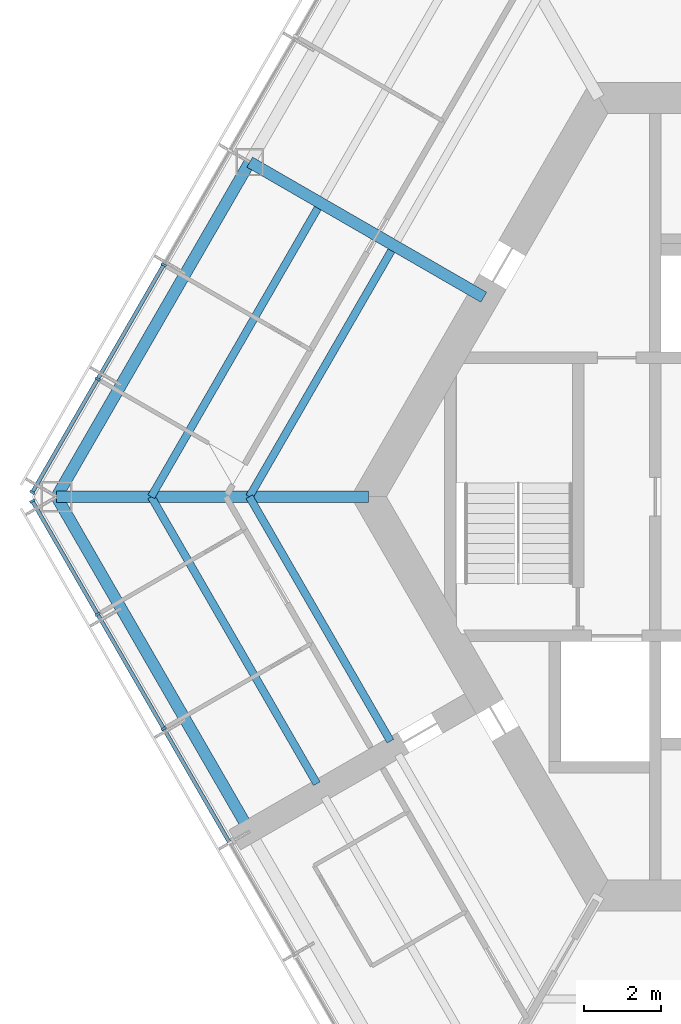
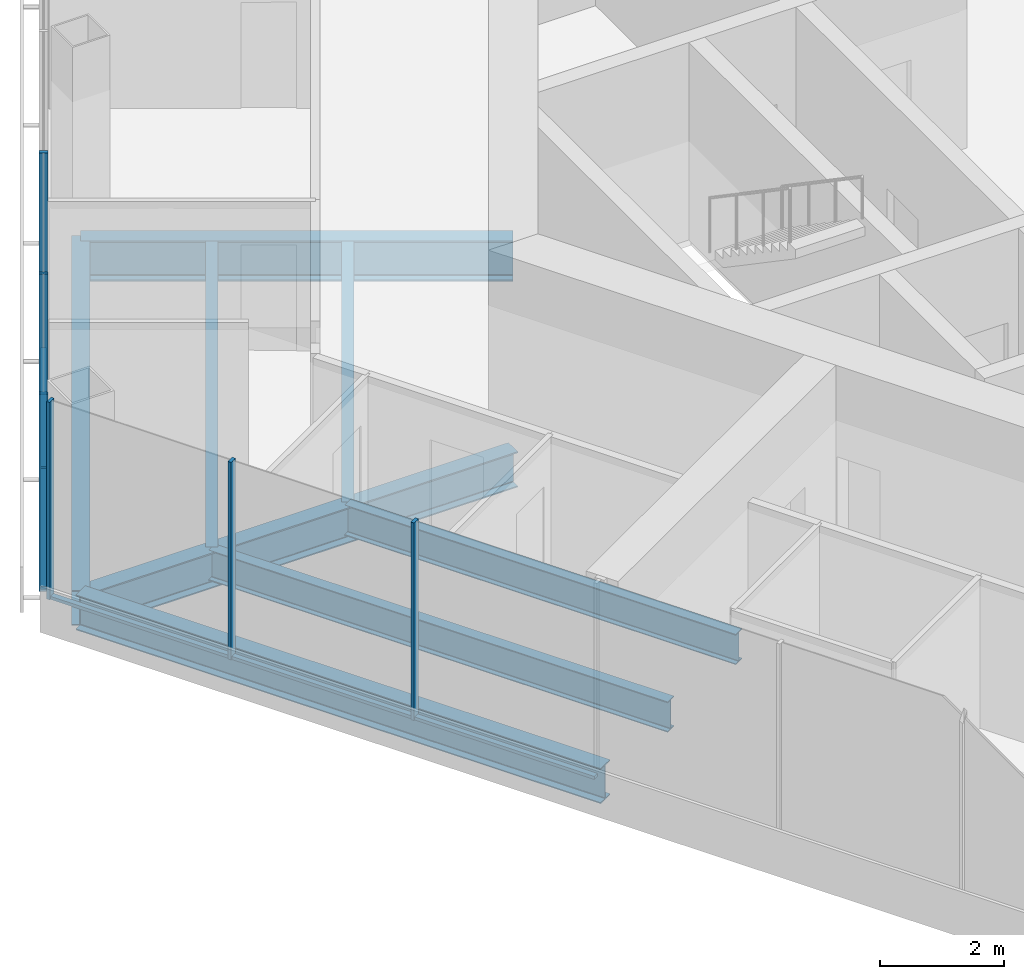
# One storey, part 3 of 17: 11 members, 8 beams, 2 elements without a shape of their own.
"""IFC4 building model written with IfcOpenShell, lengths in metres."""

import ifcopenshell
import ifcopenshell.guid

model = None  # the IFC model being written
_history = None  # IfcOwnerHistory: only IFC2X3 demands one
_inside = {}  # id of a spatial element -> (the spatial element, [elements in it])
_under = {}  # id of a project, library or spatial element -> (it, [spatial elements below it])
_declared = {}  # id of a project -> (the project, [libraries it declares])
_typed = {}  # id of a type object -> (the type object, [elements of that type])
_made_of = {}  # id of a material, layer set ... -> (it, [elements and type objects made of it])


def new_model(schema):
    """Start an empty IFC model of exactly this schema.

    Asked for "IFC4X3", IfcOpenShell would pick the latest addendum, in which some entities
    have other attributes; the version numbers below select the first issue.
    IFC2X3 requires an IfcOwnerHistory on every rooted entity: one is made here for all.
    """
    global model, _history
    if schema == "IFC4X3":
        model = ifcopenshell.file(schema_version=(4, 3, 0, 0))
    else:
        model = ifcopenshell.file(schema=schema)
    _inside.clear()
    _under.clear()
    _declared.clear()
    _typed.clear()
    _made_of.clear()
    _history = None
    if model.schema == "IFC2X3":
        org = make("IfcOrganization", Name="unknown")
        user = make(
            "IfcPersonAndOrganization",
            ThePerson=make("IfcPerson", FamilyName="unknown"),
            TheOrganization=org,
        )
        app = make(
            "IfcApplication",
            ApplicationDeveloper=org,
            Version="unknown",
            ApplicationFullName="unknown",
            ApplicationIdentifier="unknown",
        )
        _history = make(
            "IfcOwnerHistory",
            OwningUser=user,
            OwningApplication=app,
            ChangeAction="ADDED",
            CreationDate=0,
        )
    return model


def make(cls, **values):
    """One entity of the class cls with the attributes given. An attribute that is None is left unset."""
    return model.create_entity(
        cls, **{name: value for name, value in values.items() if value is not None}
    )


def rooted(cls, **values):
    """An entity with a GlobalId (a new one), such as an element, a storey or a relation."""
    return make(cls, GlobalId=ifcopenshell.guid.new(), OwnerHistory=_history, **values)


def si_unit(unit_type, name, prefix=None):
    """IfcSIUnit, for example si_unit("LENGTHUNIT", "METRE", prefix="MILLI")."""
    return make("IfcSIUnit", UnitType=unit_type, Prefix=prefix, Name=name)


def assignment(units):
    """IfcUnitAssignment: the units of a project."""
    return None if units is None else make("IfcUnitAssignment", Units=units)


def point(xyz):
    """IfcCartesianPoint."""
    return None if xyz is None else make("IfcCartesianPoint", Coordinates=xyz)


def direction(xyz):
    """IfcDirection."""
    return None if xyz is None else make("IfcDirection", DirectionRatios=xyz)


def frame(location, z_axis=None, x_axis=None):
    """IfcAxis2Placement3D, a coordinate frame: its origin and axes. An axis left out is left unset."""
    return make(
        "IfcAxis2Placement3D",
        Location=point(location),
        Axis=direction(z_axis),
        RefDirection=direction(x_axis),
    )


def frame_2d(location, x_axis=None):
    """IfcAxis2Placement2D, a coordinate frame in the plane: its origin and x axis."""
    return make(
        "IfcAxis2Placement2D", Location=point(location), RefDirection=direction(x_axis)
    )


def origin():
    """The frame at (0, 0, 0) with its axes left unset."""
    return frame((0.0, 0.0, 0.0))


def origin_2d():
    """The frame at (0, 0) in the plane with its x axis left unset."""
    return frame_2d((0.0, 0.0))


def place(relative_to, where):
    """IfcLocalPlacement: puts the frame where relative to a parent placement (None: the world)."""
    return make(
        "IfcLocalPlacement", PlacementRelTo=relative_to, RelativePlacement=where
    )


def context(
    kind, dimensions, precision=None, world=None, true_north=None, identifier=None
):
    """IfcGeometricRepresentationContext, for example the 3D "Model" context."""
    return make(
        "IfcGeometricRepresentationContext",
        ContextIdentifier=identifier,
        ContextType=kind,
        CoordinateSpaceDimension=dimensions,
        Precision=precision,
        WorldCoordinateSystem=world,
        TrueNorth=true_north,
    )


def subcontext(parent, identifier, kind, view, scale=None):
    """IfcGeometricRepresentationSubContext, for example "Body" below "Model"."""
    return make(
        "IfcGeometricRepresentationSubContext",
        ContextIdentifier=identifier,
        ContextType=kind,
        ParentContext=parent,
        TargetScale=scale,
        TargetView=view,
    )


def project(units=None, contexts=None):
    """IfcProject with its units and contexts."""
    return rooted(
        "IfcProject",
        Name="project",
        RepresentationContexts=contexts,
        UnitsInContext=assignment(units),
    )


def spatial(cls, under=None, at=None, **own):
    """A site, building, storey or space (cls), placed at a placement, below another one or the project."""
    s = rooted(cls, ObjectPlacement=at, **own)
    if under is not None:
        _under.setdefault(under.id(), (under, []))[1].append(s)
    return s


def profile(cls, at=None, kind="AREA", **sizes):
    """A parametric profile (cls). Its sizes go by their IFC names, for example OverallWidth=200.0."""
    return make(cls, ProfileType=kind, Position=at, **sizes)


def rectangle(**sizes):
    """IfcRectangleProfileDef."""
    return profile("IfcRectangleProfileDef", **sizes)


def i_section(**sizes):
    """IfcIShapeProfileDef."""
    return profile("IfcIShapeProfileDef", **sizes)


def extrude(swept, where, along, depth):
    """IfcExtrudedAreaSolid: the profile swept, set in the frame where, extruded along a direction by depth."""
    return make(
        "IfcExtrudedAreaSolid",
        SweptArea=swept,
        Position=where,
        ExtrudedDirection=direction(along),
        Depth=depth,
    )


def shape(context_of_items, identifier, shape_type, items):
    """IfcShapeRepresentation: the items that make up one representation, for example the "Body"."""
    return make(
        "IfcShapeRepresentation",
        ContextOfItems=context_of_items,
        RepresentationIdentifier=identifier,
        RepresentationType=shape_type,
        Items=items,
    )


def material(Name=None, Category=None):
    """IfcMaterial."""
    return make("IfcMaterial", Name=Name, Category=Category)


def material_profile(
    of_material, cross_section, Name=None, Category=None, Priority=None
):
    """IfcMaterialProfile: a cross section and its material."""
    return make(
        "IfcMaterialProfile",
        Name=Name,
        Material=of_material,
        Profile=cross_section,
        Priority=Priority,
        Category=Category,
    )


def profile_set(profiles, Name=None, composite=None):
    """IfcMaterialProfileSet."""
    return make(
        "IfcMaterialProfileSet",
        Name=Name,
        MaterialProfiles=profiles,
        CompositeProfile=composite,
    )


def made_of(thing, what):
    """Note that an element or type object is made of a material, layer set ...; save() writes the relation."""
    if what is not None:
        _made_of.setdefault(what.id(), (what, []))[1].append(thing)
    return thing


def type_object(cls, material=None, **own):
    """A type object (cls), such as IfcWallType, which elements share."""
    return made_of(rooted(cls, **own), material)


def element(
    cls,
    number,
    at=None,
    inside=None,
    cuts=None,
    type_object=None,
    material=None,
    context=None,
    identifier="Body",
    shape_type=None,
    held_by="IfcProductDefinitionShape",
    body=None,
    shapes=None,
    **own,
):
    """One element of the class cls, such as IfcWall. Its Tag is "e" and its number.

    at: its placement. inside: the storey or other place that contains it. cuts: it is an
    opening in that element (IfcRelVoidsElement). A single representation is given by context,
    identifier, shape_type and body (its items); several are given by shapes. held_by: the class
    of the entity that holds the representations. save() writes the other relations.
    """
    e = rooted(cls, Tag="e%d" % number, ObjectPlacement=at, **own)
    if body is not None:
        shapes = [shape(context, identifier, shape_type, body)]
    if shapes is not None:
        e.Representation = make(held_by, Representations=shapes)
    if inside is not None:
        _inside.setdefault(inside.id(), (inside, []))[1].append(e)
    if cuts is not None:
        rooted(
            "IfcRelVoidsElement", RelatingBuildingElement=cuts, RelatedOpeningElement=e
        )
    if type_object is not None:
        _typed.setdefault(type_object.id(), (type_object, []))[1].append(e)
    return made_of(e, material)


def aggregate(whole, parts):
    """IfcRelAggregates: a whole, such as a stair, and the parts it consists of."""
    return rooted("IfcRelAggregates", RelatingObject=whole, RelatedObjects=parts)


def save(model, path):
    """Write the relations noted so far, then the file.

    IfcRelAggregates (storeys below a building ...), IfcRelContainedInSpatialStructure (elements
    in a storey), IfcRelDefinesByType, IfcRelAssociatesMaterial and IfcRelDeclares: one each for
    every whole, place, type object, material and project.
    """
    for whole, parts in _under.values():
        aggregate(whole, parts)
    for where, things in _inside.values():
        rooted(
            "IfcRelContainedInSpatialStructure",
            RelatedElements=things,
            RelatingStructure=where,
        )
    for kind, things in _typed.values():
        rooted("IfcRelDefinesByType", RelatedObjects=things, RelatingType=kind)
    for what, things in _made_of.values():
        rooted("IfcRelAssociatesMaterial", RelatedObjects=things, RelatingMaterial=what)
    for by, libraries in _declared.values():
        rooted("IfcRelDeclares", RelatingContext=by, RelatedDefinitions=libraries)
    model.write(path)


model = new_model("IFC4")

# Units and contexts
model_context = context("Model", 3, precision=1e-05, world=origin(), true_north=direction((0.0, 1.0)))
body_context = subcontext(model_context, "Body", "Model", "MODEL_VIEW")
ifc_project = project(units=[si_unit("LENGTHUNIT", "METRE"), si_unit("AREAUNIT", "SQUARE_METRE"), si_unit("VOLUMEUNIT", "CUBIC_METRE"), si_unit("PLANEANGLEUNIT", "RADIAN"), si_unit("MASSUNIT", "GRAM", prefix="KILO")], contexts=[model_context])

# Site, building, storey
site_placement = place(None, origin())
site = spatial("IfcSite", under=ifc_project, at=site_placement, CompositionType="ELEMENT")
building_placement = place(site_placement, origin())
building = spatial("IfcBuilding", under=site, at=building_placement, Name="Kasaneha Research Tower", CompositionType="ELEMENT")
storey_placement = place(building_placement, frame((0.0, 0.0, 228.39990234375)))
storey = spatial("IfcBuildingStorey", under=building, at=storey_placement, Name="L57", CompositionType="ELEMENT", Elevation=228.39990234375)

# Beams
ifc_material_1 = material(Name="Steel SN490B", Category="steel")
ifc_material_profile_1 = material_profile(ifc_material_1, i_section(OverallWidth=0.199951171875, OverallDepth=0.60009765625, WebThickness=0.010986328125, FlangeThickness=0.01708984375, FilletRadius=0.012939453125, at=origin_2d()), Name="H-600x200x11x17")
ifc_profile_set_1 = profile_set([ifc_material_profile_1], Name="Steel SN490B")
beam_type_1 = type_object("IfcBeamType", Name="B1-3 secondary beam H-600x200x11x17", PredefinedType="JOIST", material=ifc_profile_set_1)
beam_1_placement = place(storey_placement, frame((-15.010986328125, 0.0, -0.449951171875), z_axis=(0.499994443168, 0.866028611999, 0.0), x_axis=(-0.866028611999, 0.499994443168, 0.0)))
element("IfcBeam", 1, at=beam_1_placement, inside=storey, type_object=beam_type_1, Name="Secondary beam RS150R1 L57", PredefinedType="JOIST", context=body_context, shape_type="SweptSolid", body=[
    extrude(i_section(OverallWidth=0.199951171875, OverallDepth=0.60009765625, WebThickness=0.010986328125, FlangeThickness=0.01708984375, FilletRadius=0.012939453125, at=origin_2d()), origin(), (0.0, 0.0, 1.0), 7.35546875),
])
beam_2_placement = place(storey_placement, frame((-17.551513671875, 0.0, -0.449951171875), z_axis=(0.5000050195, 0.866022505755, 0.0), x_axis=(-0.866022505755, 0.5000050195, 0.0)))
element("IfcBeam", 2, at=beam_2_placement, inside=storey, type_object=beam_type_1, Name="Secondary beam RS150R2 L57", PredefinedType="JOIST", context=body_context, shape_type="SweptSolid", body=[
    extrude(i_section(OverallWidth=0.199951171875, OverallDepth=0.60009765625, WebThickness=0.010986328125, FlangeThickness=0.01708984375, FilletRadius=0.012939453125, at=origin_2d()), origin(), (0.0, 0.0, 1.0), 8.6259765625),
])
beam_3_placement = place(storey_placement, frame((-15.010986328125, 0.0, -0.449951171875), z_axis=(0.499974128195, -0.866040340363, 0.0), x_axis=(0.866040340363, 0.499974128195, 0.0)))
element("IfcBeam", 3, at=beam_3_placement, inside=storey, type_object=beam_type_1, Name="Secondary beam RS210L1 L57", PredefinedType="JOIST", context=body_context, shape_type="SweptSolid", body=[
    extrude(i_section(OverallWidth=0.199951171875, OverallDepth=0.60009765625, WebThickness=0.010986328125, FlangeThickness=0.01708984375, FilletRadius=0.012939453125, at=origin_2d()), origin(), (0.0, 0.0, 1.0), 7.3056640625),
])
beam_4_placement = place(storey_placement, frame((-17.551513671875, 0.0, -0.449951171875), z_axis=(0.500000102728, -0.866025344474, 0.0), x_axis=(0.866025344474, 0.500000102728, 0.0)))
element("IfcBeam", 4, at=beam_4_placement, inside=storey, type_object=beam_type_1, Name="Secondary beam RS210L2 L57", PredefinedType="JOIST", context=body_context, shape_type="SweptSolid", body=[
    extrude(i_section(OverallWidth=0.199951171875, OverallDepth=0.60009765625, WebThickness=0.010986328125, FlangeThickness=0.01708984375, FilletRadius=0.012939453125, at=origin_2d()), origin(), (0.0, 0.0, 1.0), 8.57568359375),
])

# Curtain wall, members
ifc_material_2 = material(Name="Glass and aluminium", Category="aluminium")
curtain_wall_type = type_object("IfcCurtainWallType", Name="High-rise office curtain wall", PredefinedType="USERDEFINED", material=ifc_material_2)
curtain_wall_1_placement = place(storey_placement, origin())
curtain_wall_1 = element("IfcCurtainWall", 5, at=curtain_wall_1_placement, inside=storey, type_object=curtain_wall_type, Name="CW-O3 L57 run 03a", ObjectType="UNITISED CURTAIN WALL", PredefinedType="USERDEFINED")
ifc_material_3 = material(Name="Aluminium 6063-T6", Category="aluminium")
ifc_material_profile_2 = material_profile(ifc_material_3, rectangle(XDim=0.06005859375, YDim=0.139892578125, at=origin_2d()), Name="CW-O3 mullion 60x140")
ifc_profile_set_2 = profile_set([ifc_material_profile_2], Name="Aluminium 6063-T6")
member_type_1 = type_object("IfcMemberType", Name="CW-O3 mullion", PredefinedType="MULLION", material=ifc_profile_set_2)
member_1_placement = place(storey_placement, frame((-17.227294921875, 6.00244140625, 0.0), z_axis=(0.0, 0.0, 1.0), x_axis=(-0.499999995722, -0.866025406254, 0.0)))
member_1 = element("IfcMember", 6, at=member_1_placement, type_object=member_type_1, Name="CW-O3 mullion 5", PredefinedType="MULLION", context=body_context, shape_type="SweptSolid", body=[
    extrude(rectangle(XDim=0.06005859375, YDim=0.139892578125, at=origin_2d()), origin(), (0.0, 0.0, 1.0), 3.900146484375),
])
member_2_placement = place(storey_placement, frame((-18.93505859375, 3.04443359375, 0.0), z_axis=(0.0, 0.0, 1.0), x_axis=(-0.499999995722, -0.866025406254, 0.0)))
member_2 = element("IfcMember", 7, at=member_2_placement, type_object=member_type_1, Name="CW-O3 mullion 6", PredefinedType="MULLION", context=body_context, shape_type="SweptSolid", body=[
    extrude(rectangle(XDim=0.06005859375, YDim=0.139892578125, at=origin_2d()), origin(), (0.0, 0.0, 1.0), 3.900146484375),
])
member_3_placement = place(storey_placement, frame((-20.6279296875, 0.112548828125, 0.0), z_axis=(0.0, 0.0, 1.0), x_axis=(-0.499999995722, -0.866025406254, 0.0)))
member_3 = element("IfcMember", 8, at=member_3_placement, type_object=member_type_1, Name="CW-O3 mullion 7", PredefinedType="MULLION", context=body_context, shape_type="SweptSolid", body=[
    extrude(rectangle(XDim=0.06005859375, YDim=0.139892578125, at=origin_2d()), origin(), (0.0, 0.0, 1.0), 3.900146484375),
])

curtain_wall_2_placement = place(storey_placement, origin())
curtain_wall_2 = element("IfcCurtainWall", 9, at=curtain_wall_2_placement, inside=storey, type_object=curtain_wall_type, Name="CW-O3 L57 run 04a", ObjectType="UNITISED CURTAIN WALL", PredefinedType="USERDEFINED")
member_4_placement = place(storey_placement, frame((-20.6279296875, -0.112548828125, 0.0), z_axis=(0.0, 0.0, 1.0), x_axis=(0.499999995722, -0.866025406254, 0.0)))
member_4 = element("IfcMember", 10, at=member_4_placement, type_object=member_type_1, Name="CW-O3 mullion 1", PredefinedType="MULLION", context=body_context, shape_type="SweptSolid", body=[
    extrude(rectangle(XDim=0.06005859375, YDim=0.139892578125, at=origin_2d()), origin(), (0.0, 0.0, 1.0), 3.900146484375),
])
member_5_placement = place(storey_placement, frame((-18.93505859375, -3.04443359375, 0.0), z_axis=(0.0, 0.0, 1.0), x_axis=(0.499999995722, -0.866025406254, 0.0)))
member_5 = element("IfcMember", 11, at=member_5_placement, type_object=member_type_1, Name="CW-O3 mullion 2", PredefinedType="MULLION", context=body_context, shape_type="SweptSolid", body=[
    extrude(rectangle(XDim=0.06005859375, YDim=0.139892578125, at=origin_2d()), origin(), (0.0, 0.0, 1.0), 3.900146484375),
])
member_6_placement = place(storey_placement, frame((-17.227294921875, -6.00244140625, 0.0), z_axis=(0.0, 0.0, 1.0), x_axis=(0.499999995722, -0.866025406254, 0.0)))
member_6 = element("IfcMember", 12, at=member_6_placement, type_object=member_type_1, Name="CW-O3 mullion 3", PredefinedType="MULLION", context=body_context, shape_type="SweptSolid", body=[
    extrude(rectangle(XDim=0.06005859375, YDim=0.139892578125, at=origin_2d()), origin(), (0.0, 0.0, 1.0), 3.900146484375),
])

# Member
ifc_material_4 = material(Name="Aluminium 6063-T6", Category="aluminium")
ifc_material_profile_3 = material_profile(ifc_material_4, rectangle(XDim=0.10009765625, YDim=0.06005859375, at=origin_2d()), Name="CW-O3 transom 100x60")
ifc_profile_set_3 = profile_set([ifc_material_profile_3], Name="Aluminium 6063-T6")
member_type_2 = type_object("IfcMemberType", Name="CW-O3 transom", PredefinedType="USERDEFINED", material=ifc_profile_set_3)
member_7_placement = place(storey_placement, frame((-17.242431640625, 5.976318359375, 0.030029296875), z_axis=(-0.500020578564, -0.866013522419, 0.0), x_axis=(0.866013522419, -0.500020578564, 0.0)))
member_7 = element("IfcMember", 13, at=member_7_placement, type_object=member_type_2, Name="CW-O3 transom 5", ObjectType="TRANSOM", PredefinedType="USERDEFINED", context=body_context, shape_type="SweptSolid", body=[
    extrude(rectangle(XDim=0.10009765625, YDim=0.06005859375, at=origin_2d()), origin(), (0.0, 0.0, 1.0), 3.355224609375),
])

member_8_placement = place(storey_placement, frame((-18.9501953125, 3.0185546875, 0.030029296875), z_axis=(-0.49997666526, -0.866038875684, 0.0), x_axis=(0.866038875684, -0.49997666526, 0.0)))
member_8 = element("IfcMember", 14, at=member_8_placement, type_object=member_type_2, Name="CW-O3 transom 6", ObjectType="TRANSOM", PredefinedType="USERDEFINED", context=body_context, shape_type="SweptSolid", body=[
    extrude(rectangle(XDim=0.10009765625, YDim=0.06005859375, at=origin_2d()), origin(), (0.0, 0.0, 1.0), 3.325439453125),
])

aggregate(curtain_wall_1, [member_1, member_2, member_3, member_7, member_8])

member_9_placement = place(storey_placement, frame((-20.61279296875, -0.138671875, 0.030029296875), z_axis=(0.49997666526, -0.866038875684, 0.0), x_axis=(0.866038875684, 0.49997666526, 0.0)))
member_9 = element("IfcMember", 15, at=member_9_placement, type_object=member_type_2, Name="CW-O3 transom 1", ObjectType="TRANSOM", PredefinedType="USERDEFINED", context=body_context, shape_type="SweptSolid", body=[
    extrude(rectangle(XDim=0.10009765625, YDim=0.06005859375, at=origin_2d()), origin(), (0.0, 0.0, 1.0), 3.325439453125),
])

member_10_placement = place(storey_placement, frame((-18.920166015625, -3.070556640625, 0.030029296875), z_axis=(0.500020578564, -0.866013522419, 0.0), x_axis=(0.866013522419, 0.500020578564, 0.0)))
member_10 = element("IfcMember", 16, at=member_10_placement, type_object=member_type_2, Name="CW-O3 transom 2", ObjectType="TRANSOM", PredefinedType="USERDEFINED", context=body_context, shape_type="SweptSolid", body=[
    extrude(rectangle(XDim=0.10009765625, YDim=0.06005859375, at=origin_2d()), origin(), (0.0, 0.0, 1.0), 3.355224609375),
])

member_11_placement = place(storey_placement, frame((-17.21240234375, -6.0283203125, 0.030029296875), z_axis=(0.499989072476, -0.866031712701, 0.0), x_axis=(0.866031712701, 0.499989072476, 0.0)))
member_11 = element("IfcMember", 17, at=member_11_placement, type_object=member_type_2, Name="CW-O3 transom 3", ObjectType="TRANSOM", PredefinedType="USERDEFINED", context=body_context, shape_type="SweptSolid", body=[
    extrude(rectangle(XDim=0.10009765625, YDim=0.06005859375, at=origin_2d()), origin(), (0.0, 0.0, 1.0), 3.35546875),
])

aggregate(curtain_wall_2, [member_4, member_5, member_6, member_9, member_10, member_11])

# Beams
ifc_material_5 = material(Name="Steel SN490B", Category="steel")
ifc_material_profile_4 = material_profile(ifc_material_5, i_section(OverallWidth=0.300048828125, OverallDepth=0.699951171875, WebThickness=0.012939453125, FlangeThickness=0.02392578125, FilletRadius=0.01806640625, at=origin_2d()), Name="H-700x300x13x24")
ifc_profile_set_4 = profile_set([ifc_material_profile_4], Name="Steel SN490B")
beam_type_2 = type_object("IfcBeamType", Name="G1-3 radial girder H-700x300x13x24", PredefinedType="BEAM", material=ifc_profile_set_4)
beam_5_placement = place(storey_placement, frame((-11.92236328125, 0.0, -0.5), z_axis=(-1.0, 0.0, 0.0), x_axis=(0.0, -1.0, 0.0)))
element("IfcBeam", 18, at=beam_5_placement, inside=storey, type_object=beam_type_2, Name="Radial girder RV180 L57", PredefinedType="BEAM", context=body_context, shape_type="SweptSolid", body=[
    extrude(i_section(OverallWidth=0.300048828125, OverallDepth=0.699951171875, WebThickness=0.012939453125, FlangeThickness=0.02392578125, FilletRadius=0.01806640625, at=origin_2d()), origin(), (0.0, 0.0, 1.0), 8.07763671875),
])
ifc_material_6 = material(Name="Steel SN490B", Category="steel")
ifc_material_profile_5 = material_profile(ifc_material_6, i_section(OverallWidth=0.300048828125, OverallDepth=0.800048828125, WebThickness=0.013916015625, FlangeThickness=0.02587890625, FilletRadius=0.01806640625, at=origin_2d()), Name="H-800x300x14x26")
ifc_profile_set_5 = profile_set([ifc_material_profile_5], Name="Steel SN490B")
beam_type_3 = type_object("IfcBeamType", Name="G2-3 radial girder H-800x300x14x26", PredefinedType="BEAM", material=ifc_profile_set_5)
beam_6_placement = place(storey_placement, frame((-8.941650390625, 5.16259765625, -0.5498046875), z_axis=(-0.866039713508, 0.499975214012, 0.0), x_axis=(-0.499975214012, -0.866039713508, 0.0)))
element("IfcBeam", 19, at=beam_6_placement, inside=storey, type_object=beam_type_3, Name="Radial girder RM150 L57", PredefinedType="BEAM", context=body_context, shape_type="SweptSolid", body=[
    extrude(i_section(OverallWidth=0.300048828125, OverallDepth=0.800048828125, WebThickness=0.013916015625, FlangeThickness=0.02587890625, FilletRadius=0.01806640625, at=origin_2d()), origin(), (0.0, 0.0, 1.0), 6.995361328125),
])
ifc_material_7 = material(Name="Steel SN490B", Category="steel")
ifc_material_profile_6 = material_profile(ifc_material_7, i_section(OverallWidth=0.300048828125, OverallDepth=0.69189453125, WebThickness=0.012939453125, FlangeThickness=0.02001953125, FilletRadius=0.01806640625, at=origin_2d()), Name="H-692x300x13x20")
ifc_profile_set_6 = profile_set([ifc_material_profile_6], Name="Steel SN490B")
beam_type_4 = type_object("IfcBeamType", Name="G3-3 plate edge girder H-692x300x13x20", PredefinedType="BEAM", material=ifc_profile_set_6)
beam_7_placement = place(storey_placement, frame((-20.0, 0.0, -0.495849609375), z_axis=(0.49999201416, -0.866030014362, 0.0), x_axis=(0.866030014362, 0.49999201416, 0.0)))
element("IfcBeam", 20, at=beam_7_placement, inside=storey, type_object=beam_type_4, Name="Plate edge girder PEBP L57", PredefinedType="BEAM", context=body_context, shape_type="SweptSolid", body=[
    extrude(i_section(OverallWidth=0.300048828125, OverallDepth=0.69189453125, WebThickness=0.012939453125, FlangeThickness=0.02001953125, FilletRadius=0.01806640625, at=origin_2d()), origin(), (0.0, 0.0, 1.0), 9.800048828125),
])
ifc_material_8 = material(Name="Steel SN490B", Category="steel")
ifc_material_profile_7 = material_profile(ifc_material_8, i_section(OverallWidth=0.300048828125, OverallDepth=0.69189453125, WebThickness=0.012939453125, FlangeThickness=0.02001953125, FilletRadius=0.01806640625, at=origin_2d()), Name="H-692x300x13x20")
ifc_profile_set_7 = profile_set([ifc_material_profile_7], Name="Steel SN490B")
beam_type_5 = type_object("IfcBeamType", Name="SB1-3 spandrel beam H-692x300x13x20", PredefinedType="SPANDREL", material=ifc_profile_set_7)
beam_8_placement = place(storey_placement, frame((-20.0, 0.0, -0.495849609375), z_axis=(0.500004234368, 0.866022959057, 0.0), x_axis=(-0.866022959057, 0.500004234368, 0.0)))
element("IfcBeam", 21, at=beam_8_placement, inside=storey, type_object=beam_type_5, Name="Spandrel beam SR150R L57", PredefinedType="SPANDREL", context=body_context, shape_type="SweptSolid", body=[
    extrude(i_section(OverallWidth=0.300048828125, OverallDepth=0.69189453125, WebThickness=0.012939453125, FlangeThickness=0.02001953125, FilletRadius=0.01806640625, at=origin_2d()), origin(), (0.0, 0.0, 1.0), 10.0),
])

save(model, "model.ifc")
